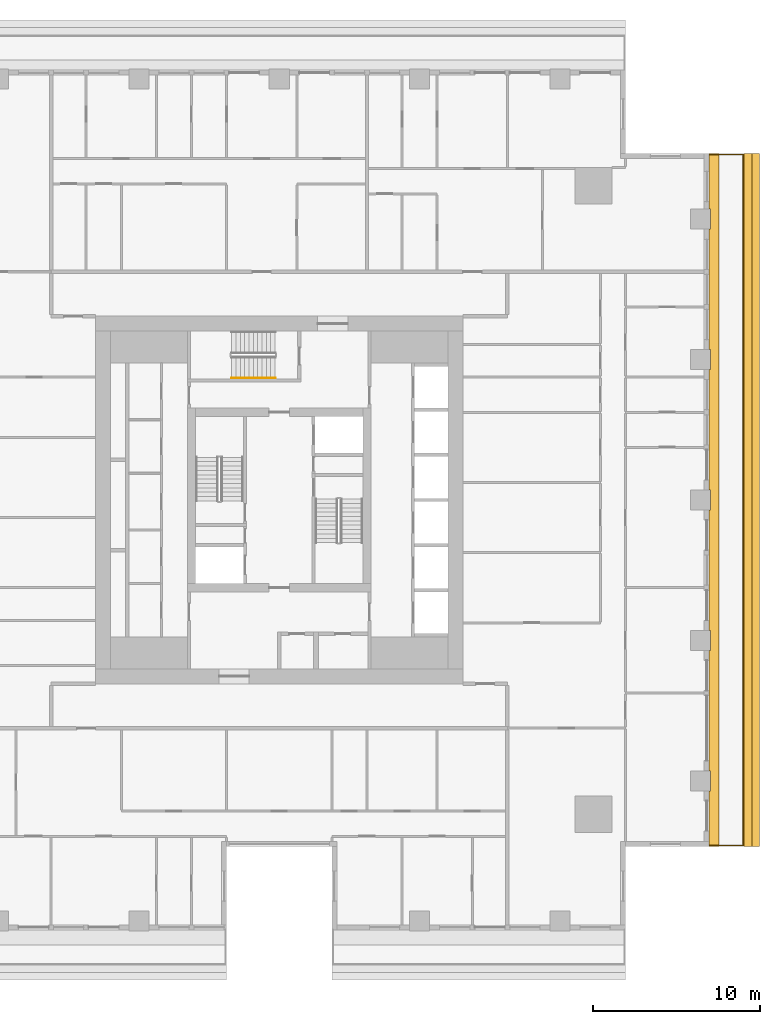
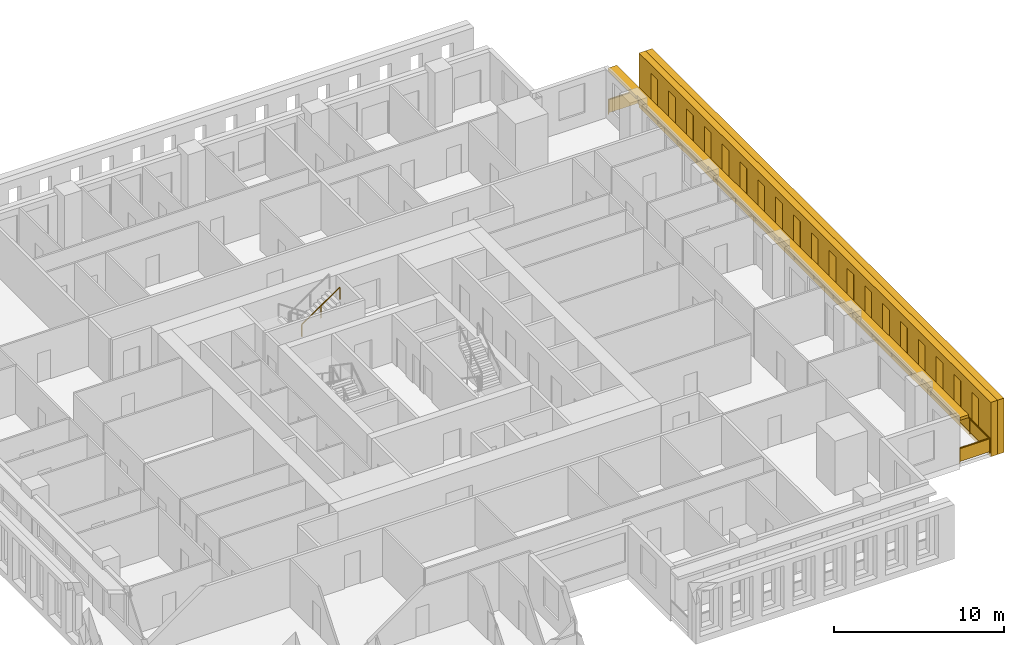
# One storey, part 13 of 15: 3 shading devices, 2 railings.
"""IFC4 building model written with IfcOpenShell, lengths in metres."""

from ifc_helpers import new_model, si_unit, direction, frame, origin, origin_2d, place, context, subcontext, project, spatial, polyline, rectangle, outline, extrude, material, layer, layer_set, type_object, element, save


model = new_model("IFC4")

# Units and contexts
model_context = context("Model", 3, precision=1e-05, world=origin(), true_north=direction((0.0, 1.0)))
body_context = subcontext(model_context, "Body", "Model", "MODEL_VIEW")
ifc_project = project(units=[si_unit("LENGTHUNIT", "METRE"), si_unit("AREAUNIT", "SQUARE_METRE"), si_unit("VOLUMEUNIT", "CUBIC_METRE"), si_unit("PLANEANGLEUNIT", "RADIAN"), si_unit("MASSUNIT", "GRAM", prefix="KILO")], contexts=[model_context])

# Site, building, storey
site_placement = place(None, origin())
site = spatial("IfcSite", under=ifc_project, at=site_placement, CompositionType="ELEMENT")
building_placement = place(site_placement, origin())
building = spatial("IfcBuilding", under=site, at=building_placement, Name="Khepri Terraces", CompositionType="ELEMENT")
storey_placement = place(building_placement, frame((0.0, 0.0, 244.5)))
storey = spatial("IfcBuildingStorey", under=building, at=storey_placement, Name="L58", CompositionType="ELEMENT", Elevation=244.5)

# Railings
ifc_material_1 = material(Name="Stainless steel grade 316", Category="steel")
railing_type_1 = type_object("IfcRailingType", Name="GRD-BAL-1100", PredefinedType="GUARDRAIL", material=ifc_material_1)
railing_1_placement = place(storey_placement, frame((25.719970703125, -20.669921875, 0.0)))
element("IfcRailing", 1, at=railing_1_placement, inside=storey, type_object=railing_type_1, Name="Balcony guard L58 E", PredefinedType="GUARDRAIL", context=body_context, shape_type="SweptSolid", body=[
    extrude(rectangle(XDim=0.050048828125, YDim=0.06005859375, at=origin_2d()), frame((0.0, 0.0, 1.070068359375), z_axis=(1.0, 0.0, 0.0), x_axis=(0.0, 1.0, 0.0)), (0.0, 0.0, 1.0), 2.050048828125),
    extrude(rectangle(XDim=2.0, YDim=0.011962890625, at=origin_2d()), frame((1.02490234375, 0.0, 0.10009765625), z_axis=(0.0, 0.0, 1.0), x_axis=(1.0, 0.0, 0.0)), (0.0, 0.0, 1.0), 0.93994140625),
    extrude(rectangle(XDim=0.050048828125, YDim=0.06005859375, at=origin_2d()), frame((2.050048828125, 0.0, 1.070068359375), z_axis=(0.0, 1.0, 0.0), x_axis=(-1.0, 0.0, 0.0)), (0.0, 0.0, 1.0), 41.33984375),
    extrude(rectangle(XDim=2.24658203125, YDim=0.011962890625, at=origin_2d()), frame((2.050048828125, 1.1484375, 0.10009765625), z_axis=(0.0, 0.0, 1.0), x_axis=(0.0, 1.0, 0.0)), (0.0, 0.0, 1.0), 0.93994140625),
    extrude(rectangle(XDim=2.24658203125, YDim=0.011962890625, at=origin_2d()), frame((2.050048828125, 3.445068359375, 0.10009765625), z_axis=(0.0, 0.0, 1.0), x_axis=(0.0, 1.0, 0.0)), (0.0, 0.0, 1.0), 0.93994140625),
    extrude(rectangle(XDim=2.24658203125, YDim=0.011962890625, at=origin_2d()), frame((2.050048828125, 5.74169921875, 0.10009765625), z_axis=(0.0, 0.0, 1.0), x_axis=(0.0, 1.0, 0.0)), (0.0, 0.0, 1.0), 0.93994140625),
    extrude(rectangle(XDim=2.24658203125, YDim=0.011962890625, at=origin_2d()), frame((2.050048828125, 8.038330078125, 0.10009765625), z_axis=(0.0, 0.0, 1.0), x_axis=(0.0, 1.0, 0.0)), (0.0, 0.0, 1.0), 0.93994140625),
    extrude(rectangle(XDim=2.24658203125, YDim=0.011962890625, at=origin_2d()), frame((2.050048828125, 10.3349609375, 0.10009765625), z_axis=(0.0, 0.0, 1.0), x_axis=(0.0, 1.0, 0.0)), (0.0, 0.0, 1.0), 0.93994140625),
    extrude(rectangle(XDim=2.24658203125, YDim=0.011962890625, at=origin_2d()), frame((2.050048828125, 12.631591796875, 0.10009765625), z_axis=(0.0, 0.0, 1.0), x_axis=(0.0, 1.0, 0.0)), (0.0, 0.0, 1.0), 0.93994140625),
    extrude(rectangle(XDim=2.24658203125, YDim=0.011962890625, at=origin_2d()), frame((2.050048828125, 14.92822265625, 0.10009765625), z_axis=(0.0, 0.0, 1.0), x_axis=(0.0, 1.0, 0.0)), (0.0, 0.0, 1.0), 0.93994140625),
    extrude(rectangle(XDim=2.24658203125, YDim=0.011962890625, at=origin_2d()), frame((2.050048828125, 17.224853515625, 0.10009765625), z_axis=(0.0, 0.0, 1.0), x_axis=(0.0, 1.0, 0.0)), (0.0, 0.0, 1.0), 0.93994140625),
    extrude(rectangle(XDim=2.24658203125, YDim=0.011962890625, at=origin_2d()), frame((2.050048828125, 19.521484375, 0.10009765625), z_axis=(0.0, 0.0, 1.0), x_axis=(0.0, 1.0, 0.0)), (0.0, 0.0, 1.0), 0.93994140625),
    extrude(rectangle(XDim=2.24658203125, YDim=0.011962890625, at=origin_2d()), frame((2.050048828125, 21.818359375, 0.10009765625), z_axis=(0.0, 0.0, 1.0), x_axis=(0.0, 1.0, 0.0)), (0.0, 0.0, 1.0), 0.93994140625),
    extrude(rectangle(XDim=2.24658203125, YDim=0.011962890625, at=origin_2d()), frame((2.050048828125, 24.114990234375, 0.10009765625), z_axis=(0.0, 0.0, 1.0), x_axis=(0.0, 1.0, 0.0)), (0.0, 0.0, 1.0), 0.93994140625),
    extrude(rectangle(XDim=2.24658203125, YDim=0.011962890625, at=origin_2d()), frame((2.050048828125, 26.41162109375, 0.10009765625), z_axis=(0.0, 0.0, 1.0), x_axis=(0.0, 1.0, 0.0)), (0.0, 0.0, 1.0), 0.93994140625),
    extrude(rectangle(XDim=2.24658203125, YDim=0.011962890625, at=origin_2d()), frame((2.050048828125, 28.708251953125, 0.10009765625), z_axis=(0.0, 0.0, 1.0), x_axis=(0.0, 1.0, 0.0)), (0.0, 0.0, 1.0), 0.93994140625),
    extrude(rectangle(XDim=2.24658203125, YDim=0.011962890625, at=origin_2d()), frame((2.050048828125, 31.0048828125, 0.10009765625), z_axis=(0.0, 0.0, 1.0), x_axis=(0.0, 1.0, 0.0)), (0.0, 0.0, 1.0), 0.93994140625),
    extrude(rectangle(XDim=2.24658203125, YDim=0.011962890625, at=origin_2d()), frame((2.050048828125, 33.301513671875, 0.10009765625), z_axis=(0.0, 0.0, 1.0), x_axis=(0.0, 1.0, 0.0)), (0.0, 0.0, 1.0), 0.93994140625),
    extrude(rectangle(XDim=2.24658203125, YDim=0.011962890625, at=origin_2d()), frame((2.050048828125, 35.59814453125, 0.10009765625), z_axis=(0.0, 0.0, 1.0), x_axis=(0.0, 1.0, 0.0)), (0.0, 0.0, 1.0), 0.93994140625),
    extrude(rectangle(XDim=2.24658203125, YDim=0.011962890625, at=origin_2d()), frame((2.050048828125, 37.894775390625, 0.10009765625), z_axis=(0.0, 0.0, 1.0), x_axis=(0.0, 1.0, 0.0)), (0.0, 0.0, 1.0), 0.93994140625),
    extrude(rectangle(XDim=2.24658203125, YDim=0.011962890625, at=origin_2d()), frame((2.050048828125, 40.19140625, 0.10009765625), z_axis=(0.0, 0.0, 1.0), x_axis=(0.0, 1.0, 0.0)), (0.0, 0.0, 1.0), 0.93994140625),
    extrude(rectangle(XDim=0.050048828125, YDim=0.06005859375, at=origin_2d()), frame((2.050048828125, 41.33984375, 1.070068359375), z_axis=(-1.0, 0.0, 0.0), x_axis=(0.0, -1.0, 0.0)), (0.0, 0.0, 1.0), 2.050048828125),
    extrude(rectangle(XDim=2.0, YDim=0.011962890625, at=origin_2d()), frame((1.02490234375, 41.33984375, 0.10009765625), z_axis=(0.0, 0.0, 1.0), x_axis=(-1.0, 0.0, 0.0)), (0.0, 0.0, 1.0), 0.93994140625),
    extrude(rectangle(XDim=0.050048828125, YDim=0.050048828125, at=origin_2d()), origin(), (0.0, 0.0, 1.0), 1.0400390625),
    extrude(rectangle(XDim=0.050048828125, YDim=0.050048828125, at=origin_2d()), frame((2.050048828125, 0.0, 0.0)), (0.0, 0.0, 1.0), 1.0400390625),
    extrude(rectangle(XDim=0.050048828125, YDim=0.050048828125, at=origin_2d()), frame((2.050048828125, 2.296630859375, 0.0)), (0.0, 0.0, 1.0), 1.0400390625),
    extrude(rectangle(XDim=0.050048828125, YDim=0.050048828125, at=origin_2d()), frame((2.050048828125, 4.59326171875, 0.0)), (0.0, 0.0, 1.0), 1.0400390625),
    extrude(rectangle(XDim=0.050048828125, YDim=0.050048828125, at=origin_2d()), frame((2.050048828125, 6.889892578125, 0.0)), (0.0, 0.0, 1.0), 1.0400390625),
    extrude(rectangle(XDim=0.050048828125, YDim=0.050048828125, at=origin_2d()), frame((2.050048828125, 9.1865234375, 0.0)), (0.0, 0.0, 1.0), 1.0400390625),
    extrude(rectangle(XDim=0.050048828125, YDim=0.050048828125, at=origin_2d()), frame((2.050048828125, 11.4833984375, 0.0)), (0.0, 0.0, 1.0), 1.0400390625),
    extrude(rectangle(XDim=0.050048828125, YDim=0.050048828125, at=origin_2d()), frame((2.050048828125, 13.780029296875, 0.0)), (0.0, 0.0, 1.0), 1.0400390625),
    extrude(rectangle(XDim=0.050048828125, YDim=0.050048828125, at=origin_2d()), frame((2.050048828125, 16.07666015625, 0.0)), (0.0, 0.0, 1.0), 1.0400390625),
    extrude(rectangle(XDim=0.050048828125, YDim=0.050048828125, at=origin_2d()), frame((2.050048828125, 18.373291015625, 0.0)), (0.0, 0.0, 1.0), 1.0400390625),
    extrude(rectangle(XDim=0.050048828125, YDim=0.050048828125, at=origin_2d()), frame((2.050048828125, 20.669921875, 0.0)), (0.0, 0.0, 1.0), 1.0400390625),
    extrude(rectangle(XDim=0.050048828125, YDim=0.050048828125, at=origin_2d()), frame((2.050048828125, 22.966552734375, 0.0)), (0.0, 0.0, 1.0), 1.0400390625),
    extrude(rectangle(XDim=0.050048828125, YDim=0.050048828125, at=origin_2d()), frame((2.050048828125, 25.26318359375, 0.0)), (0.0, 0.0, 1.0), 1.0400390625),
    extrude(rectangle(XDim=0.050048828125, YDim=0.050048828125, at=origin_2d()), frame((2.050048828125, 27.559814453125, 0.0)), (0.0, 0.0, 1.0), 1.0400390625),
    extrude(rectangle(XDim=0.050048828125, YDim=0.050048828125, at=origin_2d()), frame((2.050048828125, 29.8564453125, 0.0)), (0.0, 0.0, 1.0), 1.0400390625),
    extrude(rectangle(XDim=0.050048828125, YDim=0.050048828125, at=origin_2d()), frame((2.050048828125, 32.1533203125, 0.0)), (0.0, 0.0, 1.0), 1.0400390625),
    extrude(rectangle(XDim=0.050048828125, YDim=0.050048828125, at=origin_2d()), frame((2.050048828125, 34.449951171875, 0.0)), (0.0, 0.0, 1.0), 1.0400390625),
    extrude(rectangle(XDim=0.050048828125, YDim=0.050048828125, at=origin_2d()), frame((2.050048828125, 36.74658203125, 0.0)), (0.0, 0.0, 1.0), 1.0400390625),
    extrude(rectangle(XDim=0.050048828125, YDim=0.050048828125, at=origin_2d()), frame((2.050048828125, 39.043212890625, 0.0)), (0.0, 0.0, 1.0), 1.0400390625),
    extrude(rectangle(XDim=0.050048828125, YDim=0.050048828125, at=origin_2d()), frame((2.050048828125, 41.33984375, 0.0)), (0.0, 0.0, 1.0), 1.0400390625),
    extrude(rectangle(XDim=0.050048828125, YDim=0.050048828125, at=origin_2d()), frame((0.0, 41.33984375, 0.0)), (0.0, 0.0, 1.0), 1.0400390625),
])
ifc_material_2 = material(Name="Stainless steel 316", Category="steel")
railing_type_2 = type_object("IfcRailingType", Name="RL-CORE-HANDRAIL", PredefinedType="HANDRAIL", material=ifc_material_2)
railing_2_placement = place(storey_placement, frame((-2.85009765625, 7.300048828125, 2.127197265625)))
element("IfcRailing", 2, at=railing_2_placement, inside=storey, type_object=railing_type_2, Name="L58 ST-3 stair handrail 2", PredefinedType="HANDRAIL", context=body_context, shape_type="SweptSolid", body=[
    extrude(rectangle(XDim=0.050048828125, YDim=0.050048828125, at=origin_2d()), frame((0.0, 0.0, 0.875), z_axis=(0.826240473404, 0.0, 0.563317565952), x_axis=(0.0, 1.0, 0.0)), (0.0, 0.0, 1.0), 3.14697265625),
    extrude(rectangle(XDim=0.050048828125, YDim=0.050048828125, at=origin_2d()), origin(), (0.0, 0.0, 1.0), 0.849853515625),
    extrude(rectangle(XDim=0.050048828125, YDim=0.050048828125, at=origin_2d()), frame((1.300048828125, 0.0, 0.88623046875)), (0.0, 0.0, 1.0), 0.849853515625),
    extrude(rectangle(XDim=0.050048828125, YDim=0.050048828125, at=origin_2d()), frame((2.60009765625, 0.0, 1.772705078125)), (0.0, 0.0, 1.0), 0.849853515625),
])

# Shading devices
ifc_material_3 = material(Name="Precast concrete C50/60 warm stone", Category="masonry")
shading_device_type_1 = type_object("IfcShadingDeviceType", Name="SCR-CELL-INNER-450", PredefinedType="USERDEFINED", material=ifc_material_3)
shading_device_1_placement = place(storey_placement, frame((27.820068359375, -20.719970703125, -0.25), z_axis=(1.0, 0.0, 0.0), x_axis=(0.0, 1.0, 0.0)))
element("IfcShadingDevice", 3, at=shading_device_1_placement, inside=storey, type_object=shading_device_type_1, Name="Cell screen L58 E in", ObjectType="SCREEN", PredefinedType="USERDEFINED", context=body_context, shape_type="SweptSolid", body=[
    extrude(outline(polyline([(0.0, 0.0), (41.43994140625, 0.0), (41.43994140625, 3.89990234375), (0.0, 3.89990234375), (0.0, 0.0)]), holes=[polyline([(1.41845703125, 0.699951171875), (2.2216796875, 0.699951171875), (2.2216796875, 3.300048828125), (1.41845703125, 3.300048828125), (1.41845703125, 0.699951171875)]), polyline([(3.518310546875, 0.699951171875), (4.321533203125, 0.699951171875), (4.321533203125, 3.300048828125), (3.518310546875, 3.300048828125), (3.518310546875, 0.699951171875)]), polyline([(5.618408203125, 0.699951171875), (6.421630859375, 0.699951171875), (6.421630859375, 3.300048828125), (5.618408203125, 3.300048828125), (5.618408203125, 0.699951171875)]), polyline([(7.718505859375, 0.699951171875), (8.521484375, 0.699951171875), (8.521484375, 3.300048828125), (7.718505859375, 3.300048828125), (7.718505859375, 0.699951171875)]), polyline([(9.818359375, 0.699951171875), (10.62158203125, 0.699951171875), (10.62158203125, 3.300048828125), (9.818359375, 3.300048828125), (9.818359375, 0.699951171875)]), polyline([(11.91845703125, 0.699951171875), (12.7216796875, 0.699951171875), (12.7216796875, 3.300048828125), (11.91845703125, 3.300048828125), (11.91845703125, 0.699951171875)]), polyline([(14.018310546875, 0.699951171875), (14.821533203125, 0.699951171875), (14.821533203125, 3.300048828125), (14.018310546875, 3.300048828125), (14.018310546875, 0.699951171875)]), polyline([(16.118408203125, 0.699951171875), (16.921630859375, 0.699951171875), (16.921630859375, 3.300048828125), (16.118408203125, 3.300048828125), (16.118408203125, 0.699951171875)]), polyline([(18.218505859375, 0.699951171875), (19.021484375, 0.699951171875), (19.021484375, 3.300048828125), (18.218505859375, 3.300048828125), (18.218505859375, 0.699951171875)]), polyline([(20.318359375, 0.699951171875), (21.12158203125, 0.699951171875), (21.12158203125, 3.300048828125), (20.318359375, 3.300048828125), (20.318359375, 0.699951171875)]), polyline([(22.41845703125, 0.699951171875), (23.2216796875, 0.699951171875), (23.2216796875, 3.300048828125), (22.41845703125, 3.300048828125), (22.41845703125, 0.699951171875)]), polyline([(24.518310546875, 0.699951171875), (25.321533203125, 0.699951171875), (25.321533203125, 3.300048828125), (24.518310546875, 3.300048828125), (24.518310546875, 0.699951171875)]), polyline([(26.618408203125, 0.699951171875), (27.421630859375, 0.699951171875), (27.421630859375, 3.300048828125), (26.618408203125, 3.300048828125), (26.618408203125, 0.699951171875)]), polyline([(28.718505859375, 0.699951171875), (29.521484375, 0.699951171875), (29.521484375, 3.300048828125), (28.718505859375, 3.300048828125), (28.718505859375, 0.699951171875)]), polyline([(30.818359375, 0.699951171875), (31.62158203125, 0.699951171875), (31.62158203125, 3.300048828125), (30.818359375, 3.300048828125), (30.818359375, 0.699951171875)]), polyline([(32.91845703125, 0.699951171875), (33.7216796875, 0.699951171875), (33.7216796875, 3.300048828125), (32.91845703125, 3.300048828125), (32.91845703125, 0.699951171875)]), polyline([(35.018310546875, 0.699951171875), (35.821533203125, 0.699951171875), (35.821533203125, 3.300048828125), (35.018310546875, 3.300048828125), (35.018310546875, 0.699951171875)]), polyline([(37.118408203125, 0.699951171875), (37.921630859375, 0.699951171875), (37.921630859375, 3.300048828125), (37.118408203125, 3.300048828125), (37.118408203125, 0.699951171875)]), polyline([(39.218505859375, 0.699951171875), (40.021484375, 0.699951171875), (40.021484375, 3.300048828125), (39.218505859375, 3.300048828125), (39.218505859375, 0.699951171875)])]), origin(), (0.0, 0.0, 1.0), 0.449951171875),
])
shading_device_type_2 = type_object("IfcShadingDeviceType", Name="SCR-CELL-OUTER-450", PredefinedType="USERDEFINED", material=ifc_material_3)
shading_device_2_placement = place(storey_placement, frame((28.27001953125, -20.719970703125, -0.25), z_axis=(1.0, 0.0, 0.0), x_axis=(0.0, 1.0, 0.0)))
element("IfcShadingDevice", 4, at=shading_device_2_placement, inside=storey, type_object=shading_device_type_2, Name="Cell screen L58 E out", ObjectType="SCREEN", PredefinedType="USERDEFINED", context=body_context, shape_type="SweptSolid", body=[
    extrude(outline(polyline([(0.0, 0.0), (41.43994140625, 0.0), (41.43994140625, 3.89990234375), (0.0, 3.89990234375), (0.0, 0.0)]), holes=[polyline([(1.068359375, 0.449951171875), (2.571533203125, 0.449951171875), (2.571533203125, 3.550048828125), (1.068359375, 3.550048828125), (1.068359375, 0.449951171875)]), polyline([(3.16845703125, 0.449951171875), (4.671630859375, 0.449951171875), (4.671630859375, 3.550048828125), (3.16845703125, 3.550048828125), (3.16845703125, 0.449951171875)]), polyline([(5.268310546875, 0.449951171875), (6.771484375, 0.449951171875), (6.771484375, 3.550048828125), (5.268310546875, 3.550048828125), (5.268310546875, 0.449951171875)]), polyline([(7.368408203125, 0.449951171875), (8.87158203125, 0.449951171875), (8.87158203125, 3.550048828125), (7.368408203125, 3.550048828125), (7.368408203125, 0.449951171875)]), polyline([(9.468505859375, 0.449951171875), (10.9716796875, 0.449951171875), (10.9716796875, 3.550048828125), (9.468505859375, 3.550048828125), (9.468505859375, 0.449951171875)]), polyline([(11.568359375, 0.449951171875), (13.071533203125, 0.449951171875), (13.071533203125, 3.550048828125), (11.568359375, 3.550048828125), (11.568359375, 0.449951171875)]), polyline([(13.66845703125, 0.449951171875), (15.171630859375, 0.449951171875), (15.171630859375, 3.550048828125), (13.66845703125, 3.550048828125), (13.66845703125, 0.449951171875)]), polyline([(15.768310546875, 0.449951171875), (17.271484375, 0.449951171875), (17.271484375, 3.550048828125), (15.768310546875, 3.550048828125), (15.768310546875, 0.449951171875)]), polyline([(17.868408203125, 0.449951171875), (19.37158203125, 0.449951171875), (19.37158203125, 3.550048828125), (17.868408203125, 3.550048828125), (17.868408203125, 0.449951171875)]), polyline([(19.968505859375, 0.449951171875), (21.4716796875, 0.449951171875), (21.4716796875, 3.550048828125), (19.968505859375, 3.550048828125), (19.968505859375, 0.449951171875)]), polyline([(22.068359375, 0.449951171875), (23.571533203125, 0.449951171875), (23.571533203125, 3.550048828125), (22.068359375, 3.550048828125), (22.068359375, 0.449951171875)]), polyline([(24.16845703125, 0.449951171875), (25.671630859375, 0.449951171875), (25.671630859375, 3.550048828125), (24.16845703125, 3.550048828125), (24.16845703125, 0.449951171875)]), polyline([(26.268310546875, 0.449951171875), (27.771484375, 0.449951171875), (27.771484375, 3.550048828125), (26.268310546875, 3.550048828125), (26.268310546875, 0.449951171875)]), polyline([(28.368408203125, 0.449951171875), (29.87158203125, 0.449951171875), (29.87158203125, 3.550048828125), (28.368408203125, 3.550048828125), (28.368408203125, 0.449951171875)]), polyline([(30.468505859375, 0.449951171875), (31.9716796875, 0.449951171875), (31.9716796875, 3.550048828125), (30.468505859375, 3.550048828125), (30.468505859375, 0.449951171875)]), polyline([(32.568359375, 0.449951171875), (34.071533203125, 0.449951171875), (34.071533203125, 3.550048828125), (32.568359375, 3.550048828125), (32.568359375, 0.449951171875)]), polyline([(34.66845703125, 0.449951171875), (36.171630859375, 0.449951171875), (36.171630859375, 3.550048828125), (34.66845703125, 3.550048828125), (34.66845703125, 0.449951171875)]), polyline([(36.768310546875, 0.449951171875), (38.271484375, 0.449951171875), (38.271484375, 3.550048828125), (36.768310546875, 3.550048828125), (36.768310546875, 0.449951171875)]), polyline([(38.868408203125, 0.449951171875), (40.37158203125, 0.449951171875), (40.37158203125, 3.550048828125), (38.868408203125, 3.550048828125), (38.868408203125, 0.449951171875)])]), origin(), (0.0, 0.0, 1.0), 0.449951171875),
])
ifc_layer = layer(ifc_material_3, 0.199951171875, Name="Precast concrete C50/60 warm stone", Category="masonry")
ifc_layer_set = layer_set([ifc_layer], Name="Precast concrete C50/60 warm stone")
shading_device_type_3 = type_object("IfcShadingDeviceType", Name="SSH-BAND-STONE-200-N", PredefinedType="USERDEFINED", material=ifc_layer_set)
shading_device_3_placement = place(storey_placement, frame((0.0, 0.0, 3.10009765625)))
element("IfcShadingDevice", 5, at=shading_device_3_placement, inside=storey, type_object=shading_device_type_3, Name="Sunshade band L58 E", ObjectType="SUNSHADE", PredefinedType="USERDEFINED", context=body_context, shape_type="SweptSolid", body=[
    extrude(outline(polyline([(25.719970703125, -17.39990234375), (25.719970703125, -20.719970703125), (26.320068359375, -20.719970703125), (26.320068359375, 20.719970703125), (25.719970703125, 20.719970703125), (25.719970703125, 17.39990234375), (25.800048828125, 17.39990234375), (25.800048828125, 16.199951171875), (25.719970703125, 16.199951171875), (25.719970703125, 9.0), (25.800048828125, 9.0), (25.800048828125, 7.800048828125), (25.719970703125, 7.800048828125), (25.719970703125, 0.60009765625), (25.800048828125, 0.60009765625), (25.800048828125, -0.60009765625), (25.719970703125, -0.60009765625), (25.719970703125, -7.800048828125), (25.800048828125, -7.800048828125), (25.800048828125, -9.0), (25.719970703125, -9.0), (25.719970703125, -16.199951171875), (25.800048828125, -16.199951171875), (25.800048828125, -17.39990234375), (25.719970703125, -17.39990234375)])), origin(), (0.0, 0.0, 1.0), 0.199951171875),
])

save(model, "model.ifc")
